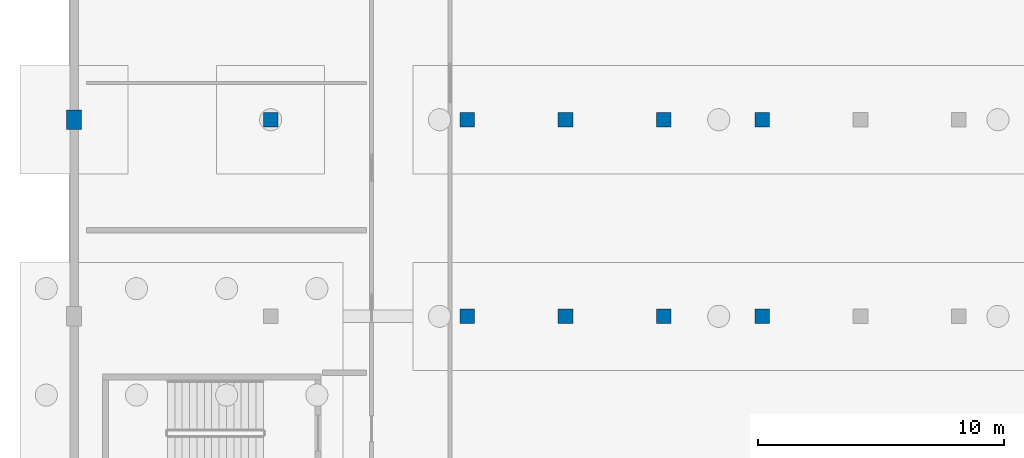
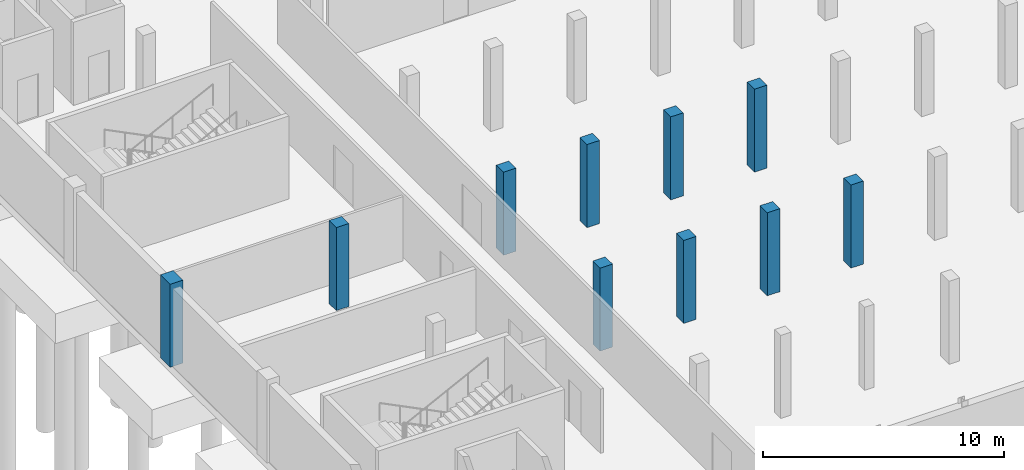
# One storey, part 3 of 15: 10 columns.
"""IFC4 building model written with IfcOpenShell, lengths in metres."""

from ifc_helpers import new_model, si_unit, derived_unit, direction, frame, origin, origin_2d, place, context, subcontext, project, spatial, rectangle, extrude, material, material_profile, profile_set, type_object, element, save


model = new_model("IFC4")

# Units and contexts
model_context = context("Model", 3, precision=1e-05, world=origin(), true_north=direction((0.0, 1.0)))
body_context = subcontext(model_context, "Body", "Model", "MODEL_VIEW")
ifc_project = project(units=[si_unit("LENGTHUNIT", "METRE"), si_unit("AREAUNIT", "SQUARE_METRE"), si_unit("VOLUMEUNIT", "CUBIC_METRE"), si_unit("PLANEANGLEUNIT", "RADIAN"), si_unit("MASSUNIT", "GRAM", prefix="KILO"), derived_unit("THERMALTRANSMITTANCEUNIT", [(si_unit("POWERUNIT", "WATT"), 1), (si_unit("LENGTHUNIT", "METRE"), -2), (si_unit("THERMODYNAMICTEMPERATUREUNIT", "KELVIN"), -1)])], contexts=[model_context])

# Site, building, storey
site_placement = place(None, origin())
site = spatial("IfcSite", under=ifc_project, at=site_placement, CompositionType="ELEMENT")
building_placement = place(site_placement, origin())
building = spatial("IfcBuilding", under=site, at=building_placement, Name="Keldorne Ridge Multi-Sports Centre", CompositionType="ELEMENT")
storey_placement = place(building_placement, frame((0.0, 0.0, -4.199951171875)))
storey = spatial("IfcBuildingStorey", under=building, at=storey_placement, Name="B01", CompositionType="ELEMENT", Elevation=-4.199951171875)

# Columns
ifc_material = material(Name="Concrete C40/50", Category="concrete")
ifc_material_profile_1 = material_profile(ifc_material, rectangle(XDim=0.60009765625, YDim=0.60009765625, at=origin_2d()), Name="RC 600x600")
ifc_profile_set_1 = profile_set([ifc_material_profile_1], Name="Concrete C40/50")
column_type_1 = type_object("IfcColumnType", Name="COL-C-20", PredefinedType="COLUMN", material=ifc_profile_set_1)
for number, where, z_axis, x_axis, name in (
    (1, (112.0, 90.0, 0.0), (0.0, 0.0, 1.0), (1.0, 0.0, 0.0), "Structural column V5-C-02-04 on B01"),
    (2, (120.0, 82.0, 0.0), (0.0, 0.0, 1.0), (1.0, 0.0, 0.0), "Structural column V5-C-03-03 on B01"),
    (3, (120.0, 90.0, 0.0), (0.0, 0.0, 1.0), (1.0, 0.0, 0.0), "Structural column V5-C-03-04 on B01"),
    (4, (124.0, 82.0, 0.0), (0.0, 0.0, 1.0), (1.0, 0.0, 0.0), "Structural column V5-C-04-03 on B01"),
    (5, (124.0, 90.0, 0.0), (0.0, 0.0, 1.0), (1.0, 0.0, 0.0), "Structural column V5-C-04-04 on B01"),
    (6, (128.0, 82.0, 0.0), (0.0, 0.0, 1.0), (1.0, 0.0, 0.0), "Structural column V5-C-05-03 on B01"),
    (7, (128.0, 90.0, 0.0), (0.0, 0.0, 1.0), (1.0, 0.0, 0.0), "Structural column V5-C-05-04 on B01"),
    (8, (132.0, 82.0, 0.0), (0.0, 0.0, 1.0), (1.0, 0.0, 0.0), "Structural column V5-C-06-03 on B01"),
    (9, (132.0, 90.0, 0.0), (0.0, 0.0, 1.0), (1.0, 0.0, 0.0), "Structural column V5-C-06-04 on B01"),
):
    element("IfcColumn", number, at=place(storey_placement, frame(where, z_axis=z_axis, x_axis=x_axis)), inside=storey, type_object=column_type_1, Name=name, PredefinedType="COLUMN", context=body_context, shape_type="SweptSolid", body=[
        extrude(rectangle(XDim=0.60009765625, YDim=0.60009765625, at=origin_2d()), origin(), (0.0, 0.0, 1.0), 4.199951171875),
    ])
ifc_material_profile_2 = material_profile(ifc_material, rectangle(XDim=0.60009765625, YDim=0.800048828125, at=origin_2d()), Name="RC 600x800")
ifc_profile_set_2 = profile_set([ifc_material_profile_2], Name="Concrete C40/50")
column_type_2 = type_object("IfcColumnType", Name="COL-C-23", PredefinedType="COLUMN", material=ifc_profile_set_2)
column_placement = place(storey_placement, frame((104.0, 90.0, 0.0), z_axis=(0.0, 0.0, 1.0), x_axis=(1.0, 0.0, 0.0)))
element("IfcColumn", 10, at=column_placement, inside=storey, type_object=column_type_2, Name="Structural column V5-C-01-04 on B01", PredefinedType="COLUMN", context=body_context, shape_type="SweptSolid", body=[
    extrude(rectangle(XDim=0.60009765625, YDim=0.800048828125, at=origin_2d()), origin(), (0.0, 0.0, 1.0), 4.199951171875),
])

save(model, "model.ifc")
